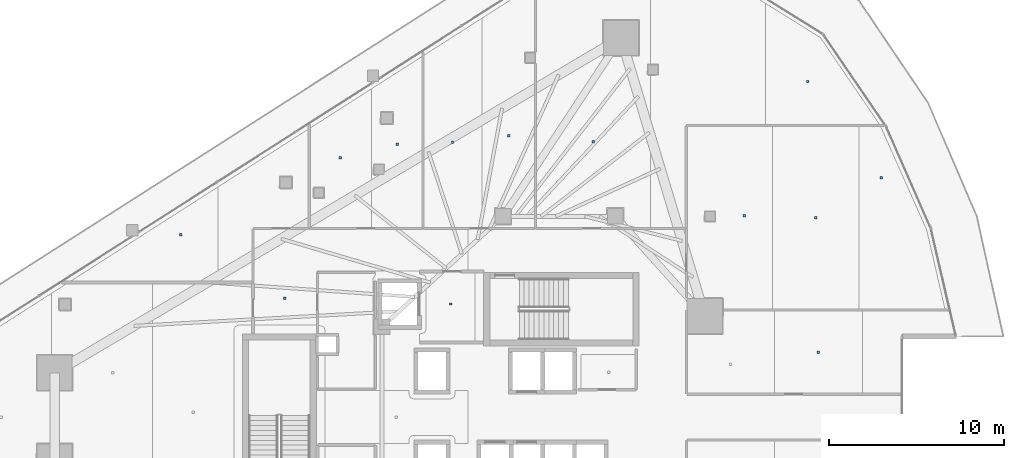
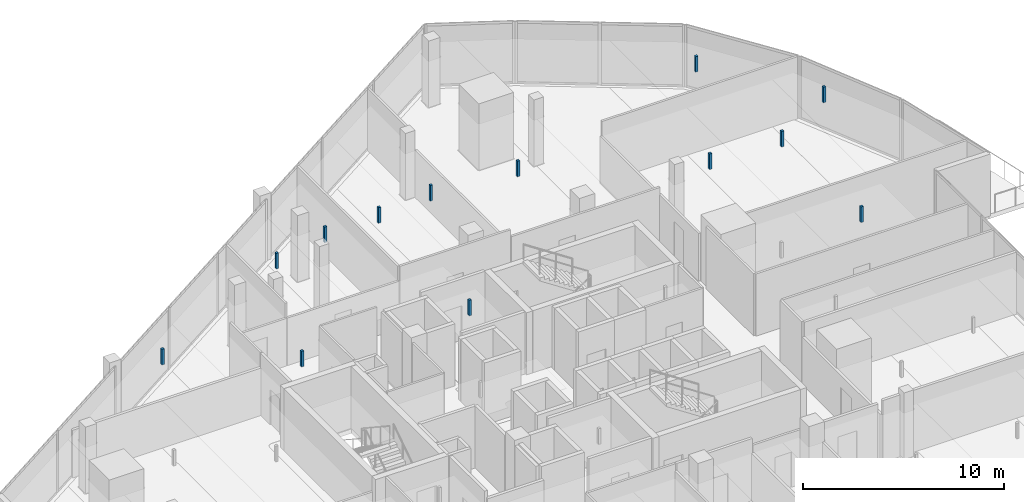
# One storey, part 30 of 37: 13 discrete accessories.
"""IFC4 building model written with IfcOpenShell, lengths in metres."""

from ifc_helpers import new_model, si_unit, direction, frame, origin, origin_2d, place, context, subcontext, project, spatial, rectangle, extrude, material, type_object, element, save


model = new_model("IFC4")

# Units and contexts
model_context = context("Model", 3, precision=1e-05, world=origin(), true_north=direction((0.0, 1.0)))
body_context = subcontext(model_context, "Body", "Model", "MODEL_VIEW")
ifc_project = project(units=[si_unit("LENGTHUNIT", "METRE"), si_unit("AREAUNIT", "SQUARE_METRE"), si_unit("VOLUMEUNIT", "CUBIC_METRE"), si_unit("PLANEANGLEUNIT", "RADIAN"), si_unit("MASSUNIT", "GRAM", prefix="KILO")], contexts=[model_context])

# Site, building, storey
site_placement = place(None, origin())
site = spatial("IfcSite", under=ifc_project, at=site_placement, CompositionType="ELEMENT")
building_placement = place(site_placement, origin())
building = spatial("IfcBuilding", under=site, at=building_placement, Name="Qorvath Tower", CompositionType="ELEMENT")
storey_placement = place(building_placement, frame((0.0, 0.0, 184.800048828125)))
storey = spatial("IfcBuildingStorey", under=building, at=storey_placement, Name="L42", CompositionType="ELEMENT", Elevation=184.800048828125)

# Discrete accessories
ifc_material = material(Name="Galvanised steel bracket", Category="steel")
discrete_accessory_type = type_object("IfcDiscreteAccessoryType", Name="DA-BRACKET", PredefinedType="BRACKET", material=ifc_material)
for number, where, z_axis, x_axis, name in (
    (1, (-26.590087890625, 6.449951171875, 2.85986328125), (0.0, 0.0, 1.0), (1.0, 0.0, 0.0), "Acoustic Ceiling Suspension Hanger T1-L42-001"),
    (2, (-36.040283203125, 6.782470703125, 2.85986328125), (0.0, 0.0, 1.0), (1.0, 0.0, 0.0), "Acoustic Ceiling Suspension Hanger T1-L42-007"),
    (3, (-32.878173828125, 14.782958984375, 2.85986328125), (0.0, 0.0, 1.0), (1.0, 0.0, 0.0), "Acoustic Ceiling Suspension Hanger T1-L42-009"),
    (4, (-29.6435546875, 15.55810546875, 2.85986328125), (0.0, 0.0, 1.0), (1.0, 0.0, 0.0), "Acoustic Ceiling Suspension Hanger T1-L42-010"),
    (5, (-26.48095703125, 15.6826171875, 2.85986328125), (0.0, 0.0, 1.0), (1.0, 0.0, 0.0), "Acoustic Ceiling Suspension Hanger T1-L42-011"),
    (6, (-23.279541015625, 16.05126953125, 2.85986328125), (0.0, 0.0, 1.0), (1.0, 0.0, 0.0), "Acoustic Ceiling Suspension Hanger T1-L42-012"),
    (7, (-18.46240234375, 15.712646484375, 2.85986328125), (0.0, 0.0, 1.0), (1.0, 0.0, 0.0), "Acoustic Ceiling Suspension Hanger T1-L42-013"),
    (8, (-6.217529296875, 19.137451171875, 2.85986328125), (0.0, 0.0, 1.0), (1.0, 0.0, 0.0), "Acoustic Ceiling Suspension Hanger T1-L42-015"),
    (9, (-5.614501953125, 3.70849609375, 2.85986328125), (0.0, 0.0, 1.0), (1.0, 0.0, 0.0), "Acoustic Ceiling Suspension Hanger T1-L42-032"),
    (10, (-9.851318359375, 11.47119140625, 2.85986328125), (0.0, 0.0, 1.0), (1.0, 0.0, 0.0), "Acoustic Ceiling Suspension Hanger T1-L42-033"),
    (11, (-5.761474609375, 11.366943359375, 2.85986328125), (0.0, 0.0, 1.0), (1.0, 0.0, 0.0), "Acoustic Ceiling Suspension Hanger T1-L42-034"),
    (12, (-2.03515625, 13.655517578125, 2.85986328125), (0.0, 0.0, 1.0), (1.0, 0.0, 0.0), "Acoustic Ceiling Suspension Hanger T1-L42-035"),
    (13, (-41.97705078125, 10.410888671875, 2.85986328125), (0.0, 0.0, 1.0), (1.0, 0.0, 0.0), "Acoustic Ceiling Suspension Hanger T1-L42-042"),
):
    element("IfcDiscreteAccessory", number, at=place(storey_placement, frame(where, z_axis=z_axis, x_axis=x_axis)), inside=storey, type_object=discrete_accessory_type, Name=name, PredefinedType="NOTDEFINED", context=body_context, shape_type="SweptSolid", body=[
        extrude(rectangle(XDim=0.139892578125, YDim=0.139892578125, at=origin_2d()), origin(), (0.0, 0.0, 1.0), 0.9501953125),
    ])

save(model, "model.ifc")
